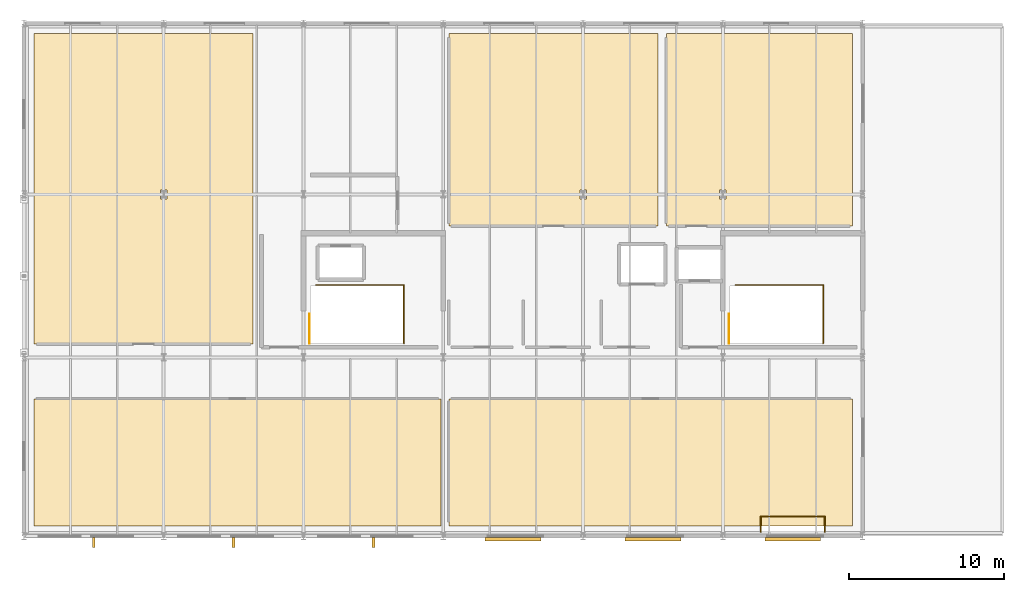
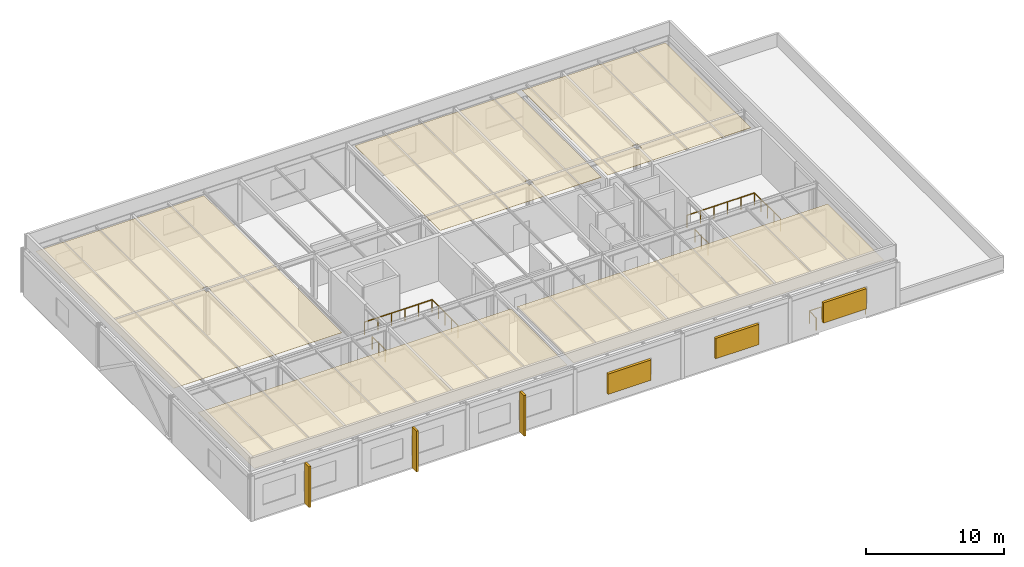
# One storey, part 14 of 14: 6 shading devices, 5 coverings, 5 railings.
"""IFC4 building model written with IfcOpenShell, lengths in metres."""

from ifc_helpers import new_model, si_unit, direction, frame, origin, origin_2d, place, context, subcontext, project, spatial, polyline, rectangle, circle, outline, extrude, material, layer, layer_set, type_object, element, save


model = new_model("IFC4")

# Units and contexts
model_context = context("Model", 3, precision=1e-05, world=origin(), true_north=direction((0.0, 1.0)))
body_context = subcontext(model_context, "Body", "Model", "MODEL_VIEW")
ifc_project = project(units=[si_unit("LENGTHUNIT", "METRE"), si_unit("AREAUNIT", "SQUARE_METRE"), si_unit("VOLUMEUNIT", "CUBIC_METRE"), si_unit("PLANEANGLEUNIT", "RADIAN"), si_unit("MASSUNIT", "GRAM", prefix="KILO")], contexts=[model_context])

# Site, building, storey
site_placement = place(None, origin())
site = spatial("IfcSite", under=ifc_project, at=site_placement, CompositionType="ELEMENT")
building_placement = place(site_placement, origin())
building = spatial("IfcBuilding", under=site, at=building_placement, Name="Marlcrest Central Station", CompositionType="ELEMENT")
storey_placement = place(building_placement, frame((0.0, 0.0, 24.0)))
storey = spatial("IfcBuildingStorey", under=building, at=storey_placement, Name="L05", CompositionType="ELEMENT", Elevation=24.0)

# Coverings
ifc_material_1 = material(Name="Perforated acoustic mineral-fibre ceiling")
ifc_layer = layer(ifc_material_1, 0.02490234375, Name="CV-CLG")
ifc_layer_set = layer_set([ifc_layer], Name="Perforated acoustic mineral-fibre ceiling")
covering_type = type_object("IfcCoveringType", Name="CV-CLG", PredefinedType="CEILING", material=ifc_layer_set)
covering_1_placement = place(storey_placement, frame((0.0, 0.0, 3.875)))
element("IfcCovering", 1, at=covering_1_placement, inside=storey, type_object=covering_type, Name="cov-clg-0135", PredefinedType="CEILING", context=body_context, shape_type="SweptSolid", body=[
    extrude(outline(polyline([(26.840087890625, 99.659912109375), (26.840087890625, 107.840087890625), (0.659912109375, 107.840087890625), (0.659912109375, 99.659912109375), (26.840087890625, 99.659912109375)])), origin(), (0.0, 0.0, 1.0), 0.02490234375),
])
covering_2_placement = place(storey_placement, frame((0.0, 0.0, 3.875)))
element("IfcCovering", 2, at=covering_2_placement, inside=storey, type_object=covering_type, Name="cov-clg-0136", PredefinedType="CEILING", context=body_context, shape_type="SweptSolid", body=[
    extrude(outline(polyline([(53.340087890625, 99.659912109375), (53.340087890625, 107.840087890625), (27.360107421875, 107.840087890625), (27.360107421875, 99.659912109375), (53.340087890625, 99.659912109375)])), origin(), (0.0, 0.0, 1.0), 0.02490234375),
])
covering_3_placement = place(storey_placement, frame((0.0, 0.0, 3.875)))
element("IfcCovering", 3, at=covering_3_placement, inside=storey, type_object=covering_type, Name="cov-clg-0137", PredefinedType="CEILING", context=body_context, shape_type="SweptSolid", body=[
    extrude(outline(polyline([(0.659912109375, 111.360107421875), (0.659912109375, 131.340087890625), (14.739990234375, 131.340087890625), (14.739990234375, 111.360107421875), (0.659912109375, 111.360107421875)]), holes=[polyline([(9.2099609375, 121.284912109375), (8.7900390625, 121.284912109375), (8.7900390625, 120.715087890625), (9.2099609375, 120.715087890625), (9.2099609375, 121.284912109375)])]), origin(), (0.0, 0.0, 1.0), 0.02490234375),
])
covering_4_placement = place(storey_placement, frame((0.0, 0.0, 3.875)))
element("IfcCovering", 4, at=covering_4_placement, inside=storey, type_object=covering_type, Name="cov-clg-0138", PredefinedType="CEILING", context=body_context, shape_type="SweptSolid", body=[
    extrude(outline(polyline([(27.360107421875, 118.9599609375), (27.360107421875, 131.340087890625), (40.840087890625, 131.340087890625), (40.840087890625, 118.9599609375), (27.360107421875, 118.9599609375)]), holes=[polyline([(36.2099609375, 121.284912109375), (35.7900390625, 121.284912109375), (35.7900390625, 120.715087890625), (36.2099609375, 120.715087890625), (36.2099609375, 121.284912109375)])]), origin(), (0.0, 0.0, 1.0), 0.02490234375),
])
covering_5_placement = place(storey_placement, frame((0.0, 0.0, 3.875)))
element("IfcCovering", 5, at=covering_5_placement, inside=storey, type_object=covering_type, Name="cov-clg-0139", PredefinedType="CEILING", context=body_context, shape_type="SweptSolid", body=[
    extrude(outline(polyline([(41.360107421875, 118.9599609375), (41.360107421875, 131.340087890625), (53.340087890625, 131.340087890625), (53.340087890625, 118.9599609375), (41.360107421875, 118.9599609375)]), holes=[polyline([(45.2099609375, 121.284912109375), (44.7900390625, 121.284912109375), (44.7900390625, 120.715087890625), (45.2099609375, 120.715087890625), (45.2099609375, 121.284912109375)])]), origin(), (0.0, 0.0, 1.0), 0.02490234375),
])

# Railings
ifc_material_2 = material(Name="Stainless steel and laminated glass concourse balustrade", Category="steel")
railing_type = type_object("IfcRailingType", Name="GR-02", PredefinedType="BALUSTRADE", material=ifc_material_2)
railing_1_placement = place(storey_placement, frame((51.56005859375, 99.260009765625, 0.0)))
element("IfcRailing", 6, at=railing_1_placement, inside=storey, type_object=railing_type, Name="hr-L05-00331", PredefinedType="BALUSTRADE", context=body_context, shape_type="SweptSolid", body=[
    extrude(circle(Radius=0.02392578125, at=origin_2d()), frame((0.0, 0.0, 1.09619140625), z_axis=(0.0, 1.0, 0.0), x_axis=(-1.0, 0.0, 0.0)), (0.0, 0.0, 1.0), 1.0),
    extrude(circle(Radius=0.02392578125, at=origin_2d()), frame((0.0, 1.0, 1.09619140625), z_axis=(-1.0, 0.0, 0.0), x_axis=(0.0, -1.0, 0.0)), (0.0, 0.0, 1.0), 4.1201171875),
    extrude(circle(Radius=0.02392578125, at=origin_2d()), frame((-4.1201171875, 1.0, 1.09619140625), z_axis=(0.0, -1.0, 0.0), x_axis=(1.0, 0.0, 0.0)), (0.0, 0.0, 1.0), 1.0),
    extrude(circle(Radius=0.02099609375, at=origin_2d()), origin(), (0.0, 0.0, 1.0), 1.072021484375),
    extrude(circle(Radius=0.02099609375, at=origin_2d()), frame((0.0, 1.0, 0.0)), (0.0, 0.0, 1.0), 1.072021484375),
    extrude(circle(Radius=0.02099609375, at=origin_2d()), frame((-1.030029296875, 1.0, 0.0)), (0.0, 0.0, 1.0), 1.072021484375),
    extrude(circle(Radius=0.02099609375, at=origin_2d()), frame((-2.06005859375, 1.0, 0.0)), (0.0, 0.0, 1.0), 1.072021484375),
    extrude(circle(Radius=0.02099609375, at=origin_2d()), frame((-3.090087890625, 1.0, 0.0)), (0.0, 0.0, 1.0), 1.072021484375),
    extrude(circle(Radius=0.02099609375, at=origin_2d()), frame((-4.1201171875, 1.0, 0.0)), (0.0, 0.0, 1.0), 1.072021484375),
    extrude(circle(Radius=0.02099609375, at=origin_2d()), frame((-4.1201171875, 0.0, 0.0)), (0.0, 0.0, 1.0), 1.072021484375),
])
railing_2_placement = place(storey_placement, frame((51.4599609375, 111.405029296875, 0.0)))
element("IfcRailing", 7, at=railing_2_placement, inside=storey, type_object=railing_type, Name="hr-L05-00332", PredefinedType="BALUSTRADE", context=body_context, shape_type="SweptSolid", body=[
    extrude(circle(Radius=0.02392578125, at=origin_2d()), frame((0.0, 0.0, 1.09619140625), z_axis=(0.0, 1.0, 0.0), x_axis=(-1.0, 0.0, 0.0)), (0.0, 0.0, 1.0), 3.7548828125),
    extrude(circle(Radius=0.02392578125, at=origin_2d()), frame((0.0, 3.7548828125, 1.09619140625), z_axis=(-1.0, 0.0, 0.0), x_axis=(0.0, -1.0, 0.0)), (0.0, 0.0, 1.0), 5.639892578125),
    extrude(circle(Radius=0.02099609375, at=origin_2d()), origin(), (0.0, 0.0, 1.0), 1.072021484375),
    extrude(circle(Radius=0.02099609375, at=origin_2d()), frame((0.0, 0.938720703125, 0.0)), (0.0, 0.0, 1.0), 1.072021484375),
    extrude(circle(Radius=0.02099609375, at=origin_2d()), frame((0.0, 1.87744140625, 0.0)), (0.0, 0.0, 1.0), 1.072021484375),
    extrude(circle(Radius=0.02099609375, at=origin_2d()), frame((0.0, 2.816162109375, 0.0)), (0.0, 0.0, 1.0), 1.072021484375),
    extrude(circle(Radius=0.02099609375, at=origin_2d()), frame((0.0, 3.7548828125, 0.0)), (0.0, 0.0, 1.0), 1.072021484375),
    extrude(circle(Radius=0.02099609375, at=origin_2d()), frame((-1.1279296875, 3.7548828125, 0.0)), (0.0, 0.0, 1.0), 1.072021484375),
    extrude(circle(Radius=0.02099609375, at=origin_2d()), frame((-2.255859375, 3.7548828125, 0.0)), (0.0, 0.0, 1.0), 1.072021484375),
    extrude(circle(Radius=0.02099609375, at=origin_2d()), frame((-3.384033203125, 3.7548828125, 0.0)), (0.0, 0.0, 1.0), 1.072021484375),
    extrude(circle(Radius=0.02099609375, at=origin_2d()), frame((-4.511962890625, 3.7548828125, 0.0)), (0.0, 0.0, 1.0), 1.072021484375),
    extrude(circle(Radius=0.02099609375, at=origin_2d()), frame((-5.639892578125, 3.7548828125, 0.0)), (0.0, 0.0, 1.0), 1.072021484375),
])
railing_3_placement = place(storey_placement, frame((45.389892578125, 113.2900390625, 0.0)))
element("IfcRailing", 8, at=railing_3_placement, inside=storey, type_object=railing_type, Name="hr-L05-00333", PredefinedType="BALUSTRADE", context=body_context, shape_type="SweptSolid", body=[
    extrude(circle(Radius=0.02392578125, at=origin_2d()), frame((0.0, 0.0, 1.09619140625), z_axis=(0.0, -1.0, 0.0), x_axis=(1.0, 0.0, 0.0)), (0.0, 0.0, 1.0), 1.885009765625),
    extrude(circle(Radius=0.02099609375, at=origin_2d()), origin(), (0.0, 0.0, 1.0), 1.072021484375),
    extrude(circle(Radius=0.02099609375, at=origin_2d()), frame((0.0, -0.9423828125, 0.0)), (0.0, 0.0, 1.0), 1.072021484375),
    extrude(circle(Radius=0.02099609375, at=origin_2d()), frame((0.0, -1.885009765625, 0.0)), (0.0, 0.0, 1.0), 1.072021484375),
])
railing_4_placement = place(storey_placement, frame((24.4599609375, 111.405029296875, 0.0)))
element("IfcRailing", 9, at=railing_4_placement, inside=storey, type_object=railing_type, Name="hr-L05-00334", PredefinedType="BALUSTRADE", context=body_context, shape_type="SweptSolid", body=[
    extrude(circle(Radius=0.02392578125, at=origin_2d()), frame((0.0, 0.0, 1.09619140625), z_axis=(0.0, 1.0, 0.0), x_axis=(-1.0, 0.0, 0.0)), (0.0, 0.0, 1.0), 3.7548828125),
    extrude(circle(Radius=0.02392578125, at=origin_2d()), frame((0.0, 3.7548828125, 1.09619140625), z_axis=(-1.0, 0.0, 0.0), x_axis=(0.0, -1.0, 0.0)), (0.0, 0.0, 1.0), 5.639892578125),
    extrude(circle(Radius=0.02099609375, at=origin_2d()), origin(), (0.0, 0.0, 1.0), 1.072021484375),
    extrude(circle(Radius=0.02099609375, at=origin_2d()), frame((0.0, 0.938720703125, 0.0)), (0.0, 0.0, 1.0), 1.072021484375),
    extrude(circle(Radius=0.02099609375, at=origin_2d()), frame((0.0, 1.87744140625, 0.0)), (0.0, 0.0, 1.0), 1.072021484375),
    extrude(circle(Radius=0.02099609375, at=origin_2d()), frame((0.0, 2.816162109375, 0.0)), (0.0, 0.0, 1.0), 1.072021484375),
    extrude(circle(Radius=0.02099609375, at=origin_2d()), frame((0.0, 3.7548828125, 0.0)), (0.0, 0.0, 1.0), 1.072021484375),
    extrude(circle(Radius=0.02099609375, at=origin_2d()), frame((-1.1279296875, 3.7548828125, 0.0)), (0.0, 0.0, 1.0), 1.072021484375),
    extrude(circle(Radius=0.02099609375, at=origin_2d()), frame((-2.255859375, 3.7548828125, 0.0)), (0.0, 0.0, 1.0), 1.072021484375),
    extrude(circle(Radius=0.02099609375, at=origin_2d()), frame((-3.384033203125, 3.7548828125, 0.0)), (0.0, 0.0, 1.0), 1.072021484375),
    extrude(circle(Radius=0.02099609375, at=origin_2d()), frame((-4.511962890625, 3.7548828125, 0.0)), (0.0, 0.0, 1.0), 1.072021484375),
    extrude(circle(Radius=0.02099609375, at=origin_2d()), frame((-5.639892578125, 3.7548828125, 0.0)), (0.0, 0.0, 1.0), 1.072021484375),
])
railing_5_placement = place(storey_placement, frame((18.389892578125, 113.2900390625, 0.0)))
element("IfcRailing", 10, at=railing_5_placement, inside=storey, type_object=railing_type, Name="hr-L05-00335", PredefinedType="BALUSTRADE", context=body_context, shape_type="SweptSolid", body=[
    extrude(circle(Radius=0.02392578125, at=origin_2d()), frame((0.0, 0.0, 1.09619140625), z_axis=(0.0, -1.0, 0.0), x_axis=(1.0, 0.0, 0.0)), (0.0, 0.0, 1.0), 1.885009765625),
    extrude(circle(Radius=0.02099609375, at=origin_2d()), origin(), (0.0, 0.0, 1.0), 1.072021484375),
    extrude(circle(Radius=0.02099609375, at=origin_2d()), frame((0.0, -0.9423828125, 0.0)), (0.0, 0.0, 1.0), 1.072021484375),
    extrude(circle(Radius=0.02099609375, at=origin_2d()), frame((0.0, -1.885009765625, 0.0)), (0.0, 0.0, 1.0), 1.072021484375),
])

# Shading devices
ifc_material_3 = material(Name="Precast concrete C40/50", Category="concrete")
shading_device_type_1 = type_object("IfcShadingDeviceType", Name="SD-BS1", PredefinedType="USERDEFINED", material=ifc_material_3)
for number, where, z_axis, x_axis, name in (
    (11, (4.5, 98.574951171875, -0.025146484375), (0.0, 0.0, 1.0), (1.0, 0.0, 0.0), "shd-L05-0058"),
    (12, (13.5, 98.574951171875, -0.025146484375), (0.0, 0.0, 1.0), (1.0, 0.0, 0.0), "shd-L05-0059"),
    (13, (22.5, 98.574951171875, -0.025146484375), (0.0, 0.0, 1.0), (1.0, 0.0, 0.0), "shd-L05-0060"),
):
    element("IfcShadingDevice", number, at=place(storey_placement, frame(where, z_axis=z_axis, x_axis=x_axis)), inside=storey, type_object=shading_device_type_1, Name=name, ObjectType="BRISE_SOLEIL", PredefinedType="USERDEFINED", context=body_context, shape_type="SweptSolid", body=[
        extrude(rectangle(XDim=0.179931640625, YDim=0.64990234375, at=origin_2d()), origin(), (0.0, 0.0, 1.0), 3.60009765625),
    ])
ifc_material_4 = material(Name="Bronze-anodised aluminium storm louvre", Category="aluminium")
shading_device_type_2 = type_object("IfcShadingDeviceType", Name="SD-JL1", PredefinedType="JALOUSIE", material=ifc_material_4)
for number, where, z_axis, x_axis, name in (
    (14, (31.5, 98.7900390625, 0.875), (0.0, 0.0, 1.0), (1.0, 0.0, 0.0), "shd-L05-0061"),
    (15, (40.5, 98.7900390625, 0.875), (0.0, 0.0, 1.0), (1.0, 0.0, 0.0), "shd-L05-0062"),
    (16, (49.5, 98.7900390625, 0.875), (0.0, 0.0, 1.0), (1.0, 0.0, 0.0), "shd-L05-0063"),
):
    element("IfcShadingDevice", number, at=place(storey_placement, frame(where, z_axis=z_axis, x_axis=x_axis)), inside=storey, type_object=shading_device_type_2, Name=name, PredefinedType="JALOUSIE", context=body_context, shape_type="SweptSolid", body=[
        extrude(rectangle(XDim=3.60009765625, YDim=0.219970703125, at=origin_2d()), origin(), (0.0, 0.0, 1.0), 1.800048828125),
    ])

save(model, "model.ifc")
